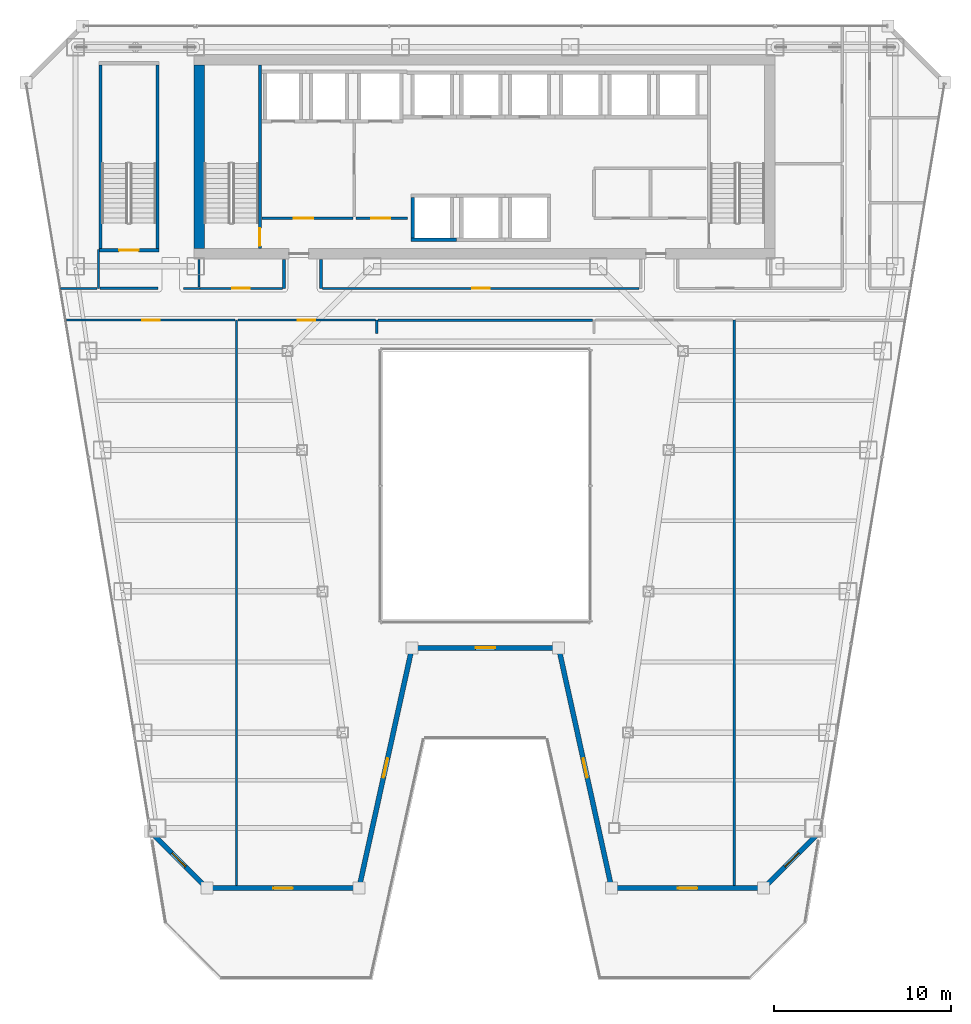
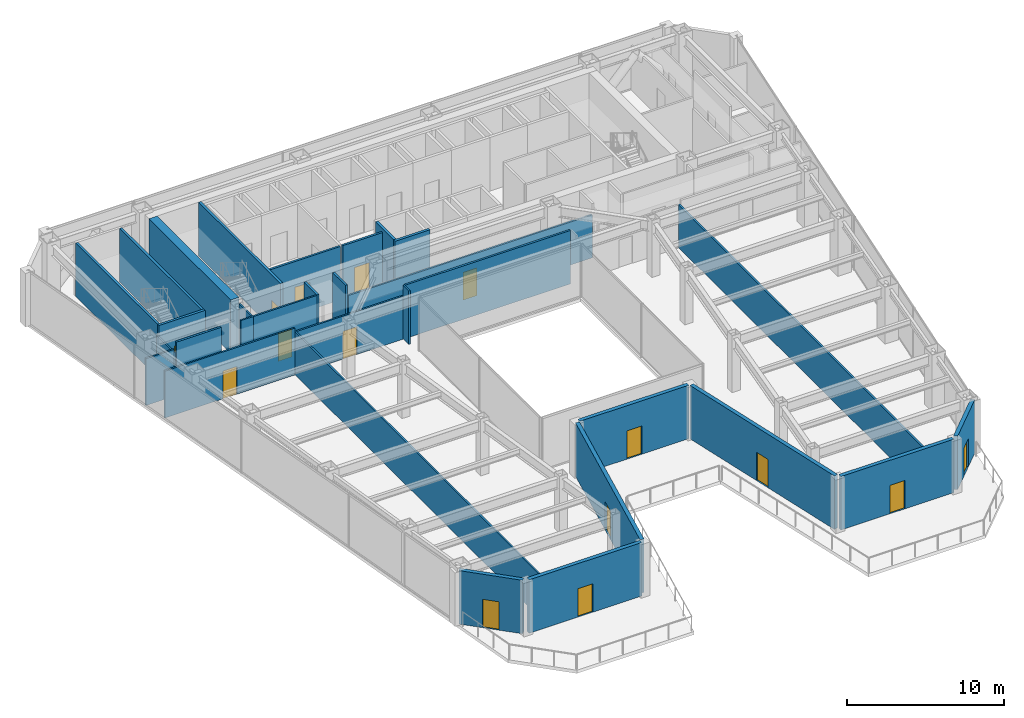
# One storey, part 28 of 35: 31 walls, 15 doors, 15 openings.
"""IFC4 building model written with IfcOpenShell, lengths in metres."""

from ifc_helpers import new_model, si_unit, direction, frame, frame_2d, origin, place, context, subcontext, project, spatial, rectangle, extrude, material, layer, layer_set, type_object, element, fill, save


model = new_model("IFC4")

# Units and contexts
model_context = context("Model", 3, precision=1e-05, world=origin(), true_north=direction((0.0, 1.0)))
body_context = subcontext(model_context, "Body", "Model", "MODEL_VIEW")
ifc_project = project(units=[si_unit("LENGTHUNIT", "METRE"), si_unit("AREAUNIT", "SQUARE_METRE"), si_unit("VOLUMEUNIT", "CUBIC_METRE"), si_unit("PLANEANGLEUNIT", "RADIAN"), si_unit("MASSUNIT", "GRAM", prefix="KILO")], contexts=[model_context])

# Site, building, storey
site_placement = place(None, origin())
site = spatial("IfcSite", under=ifc_project, at=site_placement, CompositionType="ELEMENT")
building_placement = place(site_placement, origin())
building = spatial("IfcBuilding", under=site, at=building_placement, Name="Saevonmaru Cultural Tower", CompositionType="ELEMENT")
storey_placement = place(building_placement, frame((0.0, 0.0, 101.60009765625)))
storey = spatial("IfcBuildingStorey", under=building, at=storey_placement, Name="L21", CompositionType="ELEMENT", Elevation=101.60009765625)

# Wall
ifc_material_1 = material(Name="Concrete C60/75", Category="concrete")
ifc_layer_1 = layer(ifc_material_1, 0.60009765625, Name="Concrete C60/75")
ifc_layer_set_1 = layer_set([ifc_layer_1], Name="Concrete C60/75")
wall_type_1 = type_object("IfcWallType", Name="WL-CORE-600", PredefinedType="SHEAR", material=ifc_layer_set_1)
wall_1_placement = place(storey_placement, frame((13.800048828125, 43.39990234375, 0.0), z_axis=(0.0, 0.0, 1.0), x_axis=(0.0, 1.0, 0.0)))
element("IfcWall", 1, at=wall_1_placement, inside=storey, type_object=wall_type_1, Name="L21 Tower RC core shear wall W", PredefinedType="SHEAR", context=body_context, shape_type="SweptSolid", body=[
    extrude(rectangle(XDim=10.400146484375, YDim=0.60009765625, at=frame_2d((5.2001953125, 0.0))), origin(), (0.0, 0.0, 1.0), 4.14990234375),
])

# Wall, opening, door
ifc_material_2 = material(Name="Gypsum Fireboard Partition", Category="gypsum")
ifc_layer_2 = layer(ifc_material_2, 0.14990234375, Name="Gypsum Fireboard Partition")
ifc_layer_set_2 = layer_set([ifc_layer_2], Name="Gypsum Fireboard Partition")
wall_type_2 = type_object("IfcWallType", Name="WL-CORE-PART-150", PredefinedType="PARTITIONING", material=ifc_layer_set_2)
wall_2_placement = place(storey_placement, frame((17.360107421875, 45.1201171875, 0.0), z_axis=(0.0, 0.0, 1.0), x_axis=(1.0, 0.0, 0.0)))
wall_2 = element("IfcWall", 2, at=wall_2_placement, inside=storey, type_object=wall_type_2, Name="L21 Firefighting Lift Lobby South Wall", PredefinedType="PARTITIONING", context=body_context, shape_type="SweptSolid", body=[
    extrude(rectangle(XDim=5.139892578125, YDim=0.14990234375, at=frame_2d((2.56982421875, 0.0))), origin(), (0.0, 0.0, 1.0), 4.14990234375),
])
opening_1_placement = place(wall_2_placement, frame((1.800048828125, 0.0, 0.0)))
opening_1 = element("IfcOpeningElement", 3, at=opening_1_placement, cuts=wall_2, Name="Opening FD-2", PredefinedType="OPENING", context=body_context, shape_type="SweptSolid", body=[
    extrude(rectangle(XDim=1.10009765625, YDim=2.14990234375, at=frame_2d((0.550048828125, 1.074951171875))), frame((0.0, 0.0849609375, 0.0), z_axis=(0.0, -1.0, 0.0), x_axis=(1.0, 0.0, 0.0)), (0.0, 0.0, 1.0), 0.169921875),
])
ifc_material_3 = material(Name="Satin Bronze Anodised Aluminium", Category="aluminium")
door_type_1 = type_object("IfcDoorType", Name="DR-FD60-1100", OperationType="SINGLE_SWING_LEFT", PredefinedType="DOOR", material=ifc_material_3)
door_1_placement = place(opening_1_placement, origin())
door_1 = element("IfcDoor", 4, at=door_1_placement, inside=storey, type_object=door_type_1, Name="L21 Firefighting Lift Lobby South Door", OperationType="SINGLE_SWING_LEFT", OverallHeight=2.14990234375, OverallWidth=1.10009765625, PredefinedType="DOOR", context=body_context, shape_type="SweptSolid", body=[
    extrude(rectangle(XDim=1.10009765625, YDim=2.14990234375, at=frame_2d((0.550048828125, 1.074951171875))), frame((0.0, 0.02490234375, 0.0), z_axis=(0.0, -1.0, 0.0), x_axis=(1.0, 0.0, 0.0)), (0.0, 0.0, 1.0), 0.050048828125),
])
fill(opening_1, door_1)

wall_3_placement = place(storey_placement, frame((22.679931640625, 45.1201171875, 0.0), z_axis=(0.0, 0.0, 1.0), x_axis=(1.0, 0.0, 0.0)))
wall_3 = element("IfcWall", 5, at=wall_3_placement, inside=storey, type_object=wall_type_2, Name="L21 Service Lift Vestibule Wall", PredefinedType="PARTITIONING", context=body_context, shape_type="SweptSolid", body=[
    extrude(rectangle(XDim=2.920166015625, YDim=0.14990234375, at=frame_2d((1.4599609375, 0.0))), origin(), (0.0, 0.0, 1.0), 4.14990234375),
])
opening_2_placement = place(wall_3_placement, frame((0.85009765625, 0.0, 0.0)))
opening_2 = element("IfcOpeningElement", 6, at=opening_2_placement, cuts=wall_3, Name="Opening FD-2", PredefinedType="OPENING", context=body_context, shape_type="SweptSolid", body=[
    extrude(rectangle(XDim=1.10009765625, YDim=2.14990234375, at=frame_2d((0.550048828125, 1.074951171875))), frame((0.0, 0.0849609375, 0.0), z_axis=(0.0, -1.0, 0.0), x_axis=(1.0, 0.0, 0.0)), (0.0, 0.0, 1.0), 0.169921875),
])
door_2_placement = place(opening_2_placement, origin())
door_2 = element("IfcDoor", 7, at=door_2_placement, inside=storey, type_object=door_type_1, Name="L21 Service Lift Vestibule Door", OperationType="SINGLE_SWING_LEFT", OverallHeight=2.14990234375, OverallWidth=1.10009765625, PredefinedType="DOOR", context=body_context, shape_type="SweptSolid", body=[
    extrude(rectangle(XDim=1.10009765625, YDim=2.14990234375, at=frame_2d((0.550048828125, 1.074951171875))), frame((0.0, 0.02490234375, 0.0), z_axis=(0.0, -1.0, 0.0), x_axis=(1.0, 0.0, 0.0)), (0.0, 0.0, 1.0), 0.050048828125),
])
fill(opening_2, door_2)

ifc_material_4 = material(Name="Granite-Clad Precast Concrete C40/50", Category="masonry")
ifc_layer_3 = layer(ifc_material_4, 0.280029296875, Name="Granite-Clad Precast Concrete C40/50")
ifc_layer_set_3 = layer_set([ifc_layer_3], Name="Granite-Clad Precast Concrete C40/50")
wall_type_3 = type_object("IfcWallType", Name="WL-EXT-SPANDREL-280", PredefinedType="STANDARD", material=ifc_layer_set_3)
wall_4_placement = place(storey_placement, frame((11.162109375, 10.286865234375, 0.0), z_axis=(0.0, 0.0, 1.0), x_axis=(0.70707775441, -0.707135806771, 0.0)))
wall_4 = element("IfcWall", 8, at=wall_4_placement, inside=storey, type_object=wall_type_3, Name="L21 Setback Terrace Portal Wall E1", PredefinedType="STANDARD", context=body_context, shape_type="SweptSolid", body=[
    extrude(rectangle(XDim=4.20556640625, YDim=0.280029296875, at=frame_2d((2.102783203125, 0.0))), origin(), (0.0, 0.0, 1.0), 4.14990234375),
])
opening_3_placement = place(wall_4_placement, frame((1.552978515625, 0.0, 0.0)))
opening_3 = element("IfcOpeningElement", 9, at=opening_3_placement, cuts=wall_4, Name="Opening TD-1", PredefinedType="OPENING", context=body_context, shape_type="SweptSolid", body=[
    extrude(rectangle(XDim=1.10009765625, YDim=2.199951171875, at=frame_2d((0.550048828125, 1.10009765625))), frame((0.0, 0.14990234375, 0.0), z_axis=(0.0, -1.0, 0.0), x_axis=(1.0, 0.0, 0.0)), (0.0, 0.0, 1.0), 0.300048828125),
])
door_type_2 = type_object("IfcDoorType", Name="DR-TERR-1100", OperationType="SINGLE_SWING_LEFT", PredefinedType="DOOR", material=ifc_material_3)
door_3_placement = place(opening_3_placement, origin())
door_3 = element("IfcDoor", 10, at=door_3_placement, inside=storey, type_object=door_type_2, Name="L21 Sawtooth Roof Terrace Door E1", OperationType="SINGLE_SWING_RIGHT", OverallHeight=2.199951171875, OverallWidth=1.10009765625, PredefinedType="DOOR", context=body_context, shape_type="SweptSolid", body=[
    extrude(rectangle(XDim=1.10009765625, YDim=2.199951171875, at=frame_2d((0.550048828125, 1.10009765625))), frame((0.0, 0.02490234375, 0.0), z_axis=(0.0, -1.0, 0.0), x_axis=(1.0, 0.0, 0.0)), (0.0, 0.0, 1.0), 0.050048828125),
])
fill(opening_3, door_3)

wall_5_placement = place(storey_placement, frame((14.408935546875, 7.199951171875, 0.0), z_axis=(0.0, 0.0, 1.0), x_axis=(1.0, 0.0, 0.0)))
wall_5 = element("IfcWall", 11, at=wall_5_placement, inside=storey, type_object=wall_type_3, Name="L21 Setback Terrace Portal Wall E2", PredefinedType="STANDARD", context=body_context, shape_type="SweptSolid", body=[
    extrude(rectangle(XDim=8.280029296875, YDim=0.280029296875, at=frame_2d((4.14013671875, 0.0))), origin(), (0.0, 0.0, 1.0), 4.14990234375),
])
opening_4_placement = place(wall_5_placement, frame((3.590087890625, 0.0, 0.0)))
opening_4 = element("IfcOpeningElement", 12, at=opening_4_placement, cuts=wall_5, Name="Opening TD-1", PredefinedType="OPENING", context=body_context, shape_type="SweptSolid", body=[
    extrude(rectangle(XDim=1.10009765625, YDim=2.199951171875, at=frame_2d((0.550048828125, 1.10009765625))), frame((0.0, 0.14990234375, 0.0), z_axis=(0.0, -1.0, 0.0), x_axis=(1.0, 0.0, 0.0)), (0.0, 0.0, 1.0), 0.300048828125),
])
door_4_placement = place(opening_4_placement, origin())
door_4 = element("IfcDoor", 13, at=door_4_placement, inside=storey, type_object=door_type_2, Name="L21 Sawtooth Roof Terrace Door E2", OperationType="SINGLE_SWING_LEFT", OverallHeight=2.199951171875, OverallWidth=1.10009765625, PredefinedType="DOOR", context=body_context, shape_type="SweptSolid", body=[
    extrude(rectangle(XDim=1.10009765625, YDim=2.199951171875, at=frame_2d((0.550048828125, 1.10009765625))), frame((0.0, 0.02490234375, 0.0), z_axis=(0.0, -1.0, 0.0), x_axis=(1.0, 0.0, 0.0)), (0.0, 0.0, 1.0), 0.050048828125),
])
fill(opening_4, door_4)

wall_6_placement = place(storey_placement, frame((22.88330078125, 7.356201171875, 0.0), z_axis=(0.0, 0.0, 1.0), x_axis=(0.215414184939, 0.976522774403, 0.0)))
wall_6 = element("IfcWall", 14, at=wall_6_placement, inside=storey, type_object=wall_type_3, Name="L21 Setback Terrace Portal Wall E3", PredefinedType="STANDARD", context=body_context, shape_type="SweptSolid", body=[
    extrude(rectangle(XDim=13.60693359375, YDim=0.280029296875, at=frame_2d((6.803466796875, 0.0))), origin(), (0.0, 0.0, 1.0), 4.14990234375),
])
opening_5_placement = place(wall_6_placement, frame((6.25390625, 0.0, 0.0)))
opening_5 = element("IfcOpeningElement", 15, at=opening_5_placement, cuts=wall_6, Name="Opening TD-1", PredefinedType="OPENING", context=body_context, shape_type="SweptSolid", body=[
    extrude(rectangle(XDim=1.10009765625, YDim=2.199951171875, at=frame_2d((0.550048828125, 1.10009765625))), frame((0.0, 0.14990234375, 0.0), z_axis=(0.0, -1.0, 0.0), x_axis=(1.0, 0.0, 0.0)), (0.0, 0.0, 1.0), 0.300048828125),
])
door_5_placement = place(opening_5_placement, origin())
door_5 = element("IfcDoor", 16, at=door_5_placement, inside=storey, type_object=door_type_2, Name="L21 Sawtooth Roof Terrace Door E3", OperationType="SINGLE_SWING_RIGHT", OverallHeight=2.199951171875, OverallWidth=1.10009765625, PredefinedType="DOOR", context=body_context, shape_type="SweptSolid", body=[
    extrude(rectangle(XDim=1.10009765625, YDim=2.199951171875, at=frame_2d((0.550048828125, 1.10009765625))), frame((0.0, 0.02490234375, 0.0), z_axis=(0.0, -1.0, 0.0), x_axis=(1.0, 0.0, 0.0)), (0.0, 0.0, 1.0), 0.050048828125),
])
fill(opening_5, door_5)

wall_7_placement = place(storey_placement, frame((26.0087890625, 20.800048828125, 0.0), z_axis=(0.0, 0.0, 1.0), x_axis=(1.0, 0.0, 0.0)))
wall_7 = element("IfcWall", 17, at=wall_7_placement, inside=storey, type_object=wall_type_3, Name="L21 Setback Terrace Portal Wall E4", PredefinedType="STANDARD", context=body_context, shape_type="SweptSolid", body=[
    extrude(rectangle(XDim=7.982421875, YDim=0.280029296875, at=frame_2d((3.9912109375, 0.0))), origin(), (0.0, 0.0, 1.0), 4.14990234375),
])
opening_6_placement = place(wall_7_placement, frame((3.44091796875, 0.0, 0.0)))
opening_6 = element("IfcOpeningElement", 18, at=opening_6_placement, cuts=wall_7, Name="Opening TD-1", PredefinedType="OPENING", context=body_context, shape_type="SweptSolid", body=[
    extrude(rectangle(XDim=1.10009765625, YDim=2.199951171875, at=frame_2d((0.550048828125, 1.10009765625))), frame((0.0, 0.14990234375, 0.0), z_axis=(0.0, -1.0, 0.0), x_axis=(1.0, 0.0, 0.0)), (0.0, 0.0, 1.0), 0.300048828125),
])
door_6_placement = place(opening_6_placement, origin())
door_6 = element("IfcDoor", 19, at=door_6_placement, inside=storey, type_object=door_type_2, Name="L21 Sawtooth Roof Terrace Door E4", OperationType="SINGLE_SWING_LEFT", OverallHeight=2.199951171875, OverallWidth=1.10009765625, PredefinedType="DOOR", context=body_context, shape_type="SweptSolid", body=[
    extrude(rectangle(XDim=1.10009765625, YDim=2.199951171875, at=frame_2d((0.550048828125, 1.10009765625))), frame((0.0, 0.02490234375, 0.0), z_axis=(0.0, -1.0, 0.0), x_axis=(1.0, 0.0, 0.0)), (0.0, 0.0, 1.0), 0.050048828125),
])
fill(opening_6, door_6)

wall_8_placement = place(storey_placement, frame((34.185546875, 20.643798828125, 0.0), z_axis=(0.0, 0.0, 1.0), x_axis=(0.215414184939, -0.976522774403, 0.0)))
wall_8 = element("IfcWall", 20, at=wall_8_placement, inside=storey, type_object=wall_type_3, Name="L21 Setback Terrace Portal Wall E5", PredefinedType="STANDARD", context=body_context, shape_type="SweptSolid", body=[
    extrude(rectangle(XDim=13.60693359375, YDim=0.280029296875, at=frame_2d((6.803466796875, 0.0))), origin(), (0.0, 0.0, 1.0), 4.14990234375),
])
opening_7_placement = place(wall_8_placement, frame((6.25390625, 0.0, 0.0)))
opening_7 = element("IfcOpeningElement", 21, at=opening_7_placement, cuts=wall_8, Name="Opening TD-1", PredefinedType="OPENING", context=body_context, shape_type="SweptSolid", body=[
    extrude(rectangle(XDim=1.10009765625, YDim=2.199951171875, at=frame_2d((0.550048828125, 1.10009765625))), frame((0.0, 0.14990234375, 0.0), z_axis=(0.0, -1.0, 0.0), x_axis=(1.0, 0.0, 0.0)), (0.0, 0.0, 1.0), 0.300048828125),
])
door_7_placement = place(opening_7_placement, origin())
door_7 = element("IfcDoor", 22, at=door_7_placement, inside=storey, type_object=door_type_2, Name="L21 Sawtooth Roof Terrace Door E5", OperationType="SINGLE_SWING_RIGHT", OverallHeight=2.199951171875, OverallWidth=1.10009765625, PredefinedType="DOOR", context=body_context, shape_type="SweptSolid", body=[
    extrude(rectangle(XDim=1.10009765625, YDim=2.199951171875, at=frame_2d((0.550048828125, 1.10009765625))), frame((0.0, 0.02490234375, 0.0), z_axis=(0.0, -1.0, 0.0), x_axis=(1.0, 0.0, 0.0)), (0.0, 0.0, 1.0), 0.050048828125),
])
fill(opening_7, door_7)

wall_9_placement = place(storey_placement, frame((37.31103515625, 7.199951171875, 0.0), z_axis=(0.0, 0.0, 1.0), x_axis=(1.0, 0.0, 0.0)))
wall_9 = element("IfcWall", 23, at=wall_9_placement, inside=storey, type_object=wall_type_3, Name="L21 Setback Terrace Portal Wall E6", PredefinedType="STANDARD", context=body_context, shape_type="SweptSolid", body=[
    extrude(rectangle(XDim=8.280029296875, YDim=0.280029296875, at=frame_2d((4.14013671875, 0.0))), origin(), (0.0, 0.0, 1.0), 4.14990234375),
])
opening_8_placement = place(wall_9_placement, frame((3.590087890625, 0.0, 0.0)))
opening_8 = element("IfcOpeningElement", 24, at=opening_8_placement, cuts=wall_9, Name="Opening TD-1", PredefinedType="OPENING", context=body_context, shape_type="SweptSolid", body=[
    extrude(rectangle(XDim=1.10009765625, YDim=2.199951171875, at=frame_2d((0.550048828125, 1.10009765625))), frame((0.0, 0.14990234375, 0.0), z_axis=(0.0, -1.0, 0.0), x_axis=(1.0, 0.0, 0.0)), (0.0, 0.0, 1.0), 0.300048828125),
])
door_8_placement = place(opening_8_placement, origin())
door_8 = element("IfcDoor", 25, at=door_8_placement, inside=storey, type_object=door_type_2, Name="L21 Sawtooth Roof Terrace Door E6", OperationType="SINGLE_SWING_LEFT", OverallHeight=2.199951171875, OverallWidth=1.10009765625, PredefinedType="DOOR", context=body_context, shape_type="SweptSolid", body=[
    extrude(rectangle(XDim=1.10009765625, YDim=2.199951171875, at=frame_2d((0.550048828125, 1.10009765625))), frame((0.0, 0.02490234375, 0.0), z_axis=(0.0, -1.0, 0.0), x_axis=(1.0, 0.0, 0.0)), (0.0, 0.0, 1.0), 0.050048828125),
])
fill(opening_8, door_8)

wall_10_placement = place(storey_placement, frame((45.8642578125, 7.31298828125, 0.0), z_axis=(0.0, 0.0, 1.0), x_axis=(0.70707775441, 0.707135806771, 0.0)))
wall_10 = element("IfcWall", 26, at=wall_10_placement, inside=storey, type_object=wall_type_3, Name="L21 Setback Terrace Portal Wall E7", PredefinedType="STANDARD", context=body_context, shape_type="SweptSolid", body=[
    extrude(rectangle(XDim=4.20556640625, YDim=0.280029296875, at=frame_2d((2.102783203125, 0.0))), origin(), (0.0, 0.0, 1.0), 4.14990234375),
])
opening_9_placement = place(wall_10_placement, frame((1.552978515625, 0.0, 0.0)))
opening_9 = element("IfcOpeningElement", 27, at=opening_9_placement, cuts=wall_10, Name="Opening TD-1", PredefinedType="OPENING", context=body_context, shape_type="SweptSolid", body=[
    extrude(rectangle(XDim=1.10009765625, YDim=2.199951171875, at=frame_2d((0.550048828125, 1.10009765625))), frame((0.0, 0.14990234375, 0.0), z_axis=(0.0, -1.0, 0.0), x_axis=(1.0, 0.0, 0.0)), (0.0, 0.0, 1.0), 0.300048828125),
])
door_9_placement = place(opening_9_placement, origin())
door_9 = element("IfcDoor", 28, at=door_9_placement, inside=storey, type_object=door_type_2, Name="L21 Sawtooth Roof Terrace Door E7", OperationType="SINGLE_SWING_RIGHT", OverallHeight=2.199951171875, OverallWidth=1.10009765625, PredefinedType="DOOR", context=body_context, shape_type="SweptSolid", body=[
    extrude(rectangle(XDim=1.10009765625, YDim=2.199951171875, at=frame_2d((0.550048828125, 1.10009765625))), frame((0.0, 0.02490234375, 0.0), z_axis=(0.0, -1.0, 0.0), x_axis=(1.0, 0.0, 0.0)), (0.0, 0.0, 1.0), 0.050048828125),
])
fill(opening_9, door_9)

# Walls
ifc_layer_4 = layer(ifc_material_2, 0.14990234375, Name="Gypsum Fireboard Partition")
ifc_layer_set_4 = layer_set([ifc_layer_4], Name="Gypsum Fireboard Partition")
wall_type_4 = type_object("IfcWallType", Name="WL-PART-FIRE-150", PredefinedType="PARTITIONING", material=ifc_layer_set_4)
wall_11_placement = place(storey_placement, frame((8.179931640625, 41.14990234375, 0.0), z_axis=(0.0, 0.0, 1.0), x_axis=(1.0, 0.0, 0.0)))
element("IfcWall", 29, at=wall_11_placement, inside=storey, type_object=wall_type_4, Name="L21 Stair ST-3 South Vestibule Wall", PredefinedType="PARTITIONING", context=body_context, shape_type="SweptSolid", body=[
    extrude(rectangle(XDim=3.300048828125, YDim=0.14990234375, at=frame_2d((1.64990234375, 0.0))), origin(), (0.0, 0.0, 1.0), 4.14990234375),
])
for number, where, z_axis, x_axis, name in (
    (30, (18.60009765625, 41.14990234375, 0.0), (0.0, 0.0, 1.0), (0.0, 1.0, 0.0), "L21 Core Portal Side Wall W1"),
    (31, (20.699951171875, 41.14990234375, 0.0), (0.0, 0.0, 1.0), (0.0, 1.0, 0.0), "L21 Core Portal Side Wall W2"),
):
    element("IfcWall", number, at=place(storey_placement, frame(where, z_axis=z_axis, x_axis=x_axis)), inside=storey, type_object=wall_type_4, Name=name, PredefinedType="PARTITIONING", context=body_context, shape_type="SweptSolid", body=[
        extrude(rectangle(XDim=1.630126953125, YDim=0.14990234375, at=frame_2d((0.81494140625, 0.0))), origin(), (0.0, 0.0, 1.0), 4.14990234375),
    ])
wall_12_placement = place(storey_placement, frame((23.929931640625, 39.35009765625, 0.0), z_axis=(0.0, 0.0, 1.0), x_axis=(1.0, 0.0, 0.0)))
element("IfcWall", 32, at=wall_12_placement, inside=storey, type_object=wall_type_4, Name="L21 North Atrium Corridor Wall", PredefinedType="PARTITIONING", context=body_context, shape_type="SweptSolid", body=[
    extrude(rectangle(XDim=12.14013671875, YDim=0.14990234375, at=frame_2d((6.070068359375, 0.0))), origin(), (0.0, 0.0, 1.0), 4.14990234375),
])
ifc_layer_5 = layer(ifc_material_2, 0.1201171875, Name="Gypsum Fireboard Partition")
ifc_layer_set_5 = layer_set([ifc_layer_5], Name="Gypsum Fireboard Partition")
wall_type_5 = type_object("IfcWallType", Name="WL-PART-GYP-120", PredefinedType="PARTITIONING", material=ifc_layer_set_5)
wall_13_placement = place(storey_placement, frame((12.919921875, 41.14990234375, 0.0), z_axis=(0.0, 0.0, 1.0), x_axis=(1.0, 0.0, 0.0)))
element("IfcWall", 33, at=wall_13_placement, inside=storey, type_object=wall_type_5, Name="L21 NW Inner South Wall", PredefinedType="PARTITIONING", context=body_context, shape_type="SweptSolid", body=[
    extrude(rectangle(XDim=0.93017578125, YDim=0.1201171875, at=frame_2d((0.465087890625, 0.0))), origin(), (0.0, 0.0, 1.0), 4.14990234375),
])
wall_14_placement = place(storey_placement, frame((13.800048828125, 41.22998046875, 0.0), z_axis=(0.0, 0.0, 1.0), x_axis=(0.0, 1.0, 0.0)))
element("IfcWall", 34, at=wall_14_placement, inside=storey, type_object=wall_type_5, Name="L21 NW Inner Core Return", PredefinedType="PARTITIONING", context=body_context, shape_type="SweptSolid", body=[
    extrude(rectangle(XDim=1.550048828125, YDim=0.1201171875, at=frame_2d((0.77490234375, 0.0))), origin(), (0.0, 0.0, 1.0), 4.14990234375),
])
wall_15_placement = place(storey_placement, frame((8.10009765625, 41.14990234375, 0.0), z_axis=(0.0, 0.0, 1.0), x_axis=(0.0, 1.0, 0.0)))
element("IfcWall", 35, at=wall_15_placement, inside=storey, type_object=wall_type_5, Name="L21 NW Stair Return", PredefinedType="PARTITIONING", context=body_context, shape_type="SweptSolid", body=[
    extrude(rectangle(XDim=2.2001953125, YDim=0.1201171875, at=frame_2d((1.10009765625, 0.0))), origin(), (0.0, 0.0, 1.0), 3.3349609375),
])
wall_16_placement = place(storey_placement, frame((5.94189453125, 41.14990234375, 0.0), z_axis=(0.0, 0.0, 1.0), x_axis=(1.0, 0.0, 0.0)))
element("IfcWall", 36, at=wall_16_placement, inside=storey, type_object=wall_type_5, Name="L21 Panoramic Salon Restaurant Corridor Wall", PredefinedType="PARTITIONING", context=body_context, shape_type="SweptSolid", body=[
    extrude(rectangle(XDim=2.078125, YDim=0.1201171875, at=frame_2d((1.0390625, 0.0))), origin(), (0.0, 0.0, 1.0), 3.635009765625),
])

# Wall, opening, door
wall_17_placement = place(storey_placement, frame((13.85009765625, 41.14990234375, 0.0), z_axis=(0.0, 0.0, 1.0), x_axis=(1.0, 0.0, 0.0)))
wall_17 = element("IfcWall", 37, at=wall_17_placement, inside=storey, type_object=wall_type_5, Name="L21 Museum Espresso Cafe Corridor Wall", PredefinedType="PARTITIONING", context=body_context, shape_type="SweptSolid", body=[
    extrude(rectangle(XDim=4.65478515625, YDim=0.1201171875, at=frame_2d((2.327392578125, 0.0))), origin(), (0.0, 0.0, 1.0), 4.14990234375),
])
opening_10_placement = place(wall_17_placement, frame((1.826904296875, 0.0, 0.0)))
opening_10 = element("IfcOpeningElement", 38, at=opening_10_placement, cuts=wall_17, Name="Opening ID-1B", PredefinedType="OPENING", context=body_context, shape_type="SweptSolid", body=[
    extrude(rectangle(XDim=1.0, YDim=2.14990234375, at=frame_2d((0.5, 1.074951171875))), frame((0.0, 0.070068359375, 0.0), z_axis=(0.0, -1.0, 0.0), x_axis=(1.0, 0.0, 0.0)), (0.0, 0.0, 1.0), 0.14013671875),
])
ifc_material_5 = material(Name="Acoustic Stained Oak Timber", Category="wood")
door_type_3 = type_object("IfcDoorType", Name="DR-INT-1000", OperationType="SINGLE_SWING_RIGHT", PredefinedType="DOOR", material=ifc_material_5)
door_10_placement = place(opening_10_placement, origin())
door_10 = element("IfcDoor", 39, at=door_10_placement, inside=storey, type_object=door_type_3, Name="L21 Museum Espresso Cafe Door", OperationType="SINGLE_SWING_LEFT", OverallHeight=2.14990234375, OverallWidth=1.0, PredefinedType="DOOR", context=body_context, shape_type="SweptSolid", body=[
    extrude(rectangle(XDim=1.0, YDim=2.14990234375, at=frame_2d((0.5, 1.074951171875))), frame((0.0, 0.02490234375, 0.0), z_axis=(0.0, -1.0, 0.0), x_axis=(1.0, 0.0, 0.0)), (0.0, 0.0, 1.0), 0.050048828125),
])
fill(opening_10, door_10)

wall_18_placement = place(storey_placement, frame((20.794921875, 41.14990234375, 0.0), z_axis=(0.0, 0.0, 1.0), x_axis=(1.0, 0.0, 0.0)))
wall_18 = element("IfcWall", 40, at=wall_18_placement, inside=storey, type_object=wall_type_5, Name="L21 Panoramic Salon Restaurant Corridor Wall", PredefinedType="PARTITIONING", context=body_context, shape_type="SweptSolid", body=[
    extrude(rectangle(XDim=17.91015625, YDim=0.1201171875, at=frame_2d((8.955078125, 0.0))), origin(), (0.0, 0.0, 1.0), 3.3349609375),
])
opening_11_placement = place(wall_18_placement, frame((8.455078125, 0.0, 0.0)))
opening_11 = element("IfcOpeningElement", 41, at=opening_11_placement, cuts=wall_18, Name="Opening ID-1B", PredefinedType="OPENING", context=body_context, shape_type="SweptSolid", body=[
    extrude(rectangle(XDim=1.0, YDim=2.14990234375, at=frame_2d((0.5, 1.074951171875))), frame((0.0, 0.070068359375, 0.0), z_axis=(0.0, -1.0, 0.0), x_axis=(1.0, 0.0, 0.0)), (0.0, 0.0, 1.0), 0.14013671875),
])
door_11_placement = place(opening_11_placement, origin())
door_11 = element("IfcDoor", 42, at=door_11_placement, inside=storey, type_object=door_type_3, Name="L21 Panoramic Salon Restaurant Door", OperationType="SINGLE_SWING_RIGHT", OverallHeight=2.14990234375, OverallWidth=1.0, PredefinedType="DOOR", context=body_context, shape_type="SweptSolid", body=[
    extrude(rectangle(XDim=1.0, YDim=2.14990234375, at=frame_2d((0.5, 1.074951171875))), frame((0.0, 0.02490234375, 0.0), z_axis=(0.0, -1.0, 0.0), x_axis=(1.0, 0.0, 0.0)), (0.0, 0.0, 1.0), 0.050048828125),
])
fill(opening_11, door_11)

# Walls
wall_19_placement = place(storey_placement, frame((15.919921875, 7.360107421875, 0.0), z_axis=(0.0, 0.0, 1.0), x_axis=(0.0, 1.0, 0.0)))
element("IfcWall", 43, at=wall_19_placement, inside=storey, type_object=wall_type_5, Name="L21 West Bay Divider 1", PredefinedType="PARTITIONING", context=body_context, shape_type="SweptSolid", body=[
    extrude(rectangle(XDim=31.989990234375, YDim=0.1201171875, at=frame_2d((15.9951171875, 0.0))), origin(), (0.0, 0.0, 1.0), 3.3349609375),
])
wall_20_placement = place(storey_placement, frame((23.85009765625, 38.60009765625, 0.0), z_axis=(0.0, 0.0, 1.0), x_axis=(0.0, 1.0, 0.0)))
element("IfcWall", 44, at=wall_20_placement, inside=storey, type_object=wall_type_5, Name="L21 North Atrium West Wall", PredefinedType="PARTITIONING", context=body_context, shape_type="SweptSolid", body=[
    extrude(rectangle(XDim=0.75, YDim=0.1201171875, at=frame_2d((0.375, 0.0))), origin(), (0.0, 0.0, 1.0), 4.14990234375),
])

# Wall, opening, door
wall_21_placement = place(storey_placement, frame((6.304931640625, 39.35009765625, 0.0), z_axis=(0.0, 0.0, 1.0), x_axis=(1.0, 0.0, 0.0)))
wall_21 = element("IfcWall", 45, at=wall_21_placement, inside=storey, type_object=wall_type_5, Name="L21 Museum Espresso Cafe Corridor Wall", PredefinedType="PARTITIONING", context=body_context, shape_type="SweptSolid", body=[
    extrude(rectangle(XDim=9.53515625, YDim=0.1201171875, at=frame_2d((4.767578125, 0.0))), origin(), (0.0, 0.0, 1.0), 3.635009765625),
])
opening_12_placement = place(wall_21_placement, frame((4.26806640625, 0.0, 0.0)))
opening_12 = element("IfcOpeningElement", 46, at=opening_12_placement, cuts=wall_21, Name="Opening ID-1B", PredefinedType="OPENING", context=body_context, shape_type="SweptSolid", body=[
    extrude(rectangle(XDim=1.0, YDim=2.14990234375, at=frame_2d((0.5, 1.074951171875))), frame((0.0, 0.070068359375, 0.0), z_axis=(0.0, -1.0, 0.0), x_axis=(1.0, 0.0, 0.0)), (0.0, 0.0, 1.0), 0.14013671875),
])
door_12_placement = place(opening_12_placement, origin())
door_12 = element("IfcDoor", 47, at=door_12_placement, inside=storey, type_object=door_type_3, Name="L21 Museum Espresso Cafe Door", OperationType="SINGLE_SWING_RIGHT", OverallHeight=2.14990234375, OverallWidth=1.0, PredefinedType="DOOR", context=body_context, shape_type="SweptSolid", body=[
    extrude(rectangle(XDim=1.0, YDim=2.14990234375, at=frame_2d((0.5, 1.074951171875))), frame((0.0, 0.02490234375, 0.0), z_axis=(0.0, -1.0, 0.0), x_axis=(1.0, 0.0, 0.0)), (0.0, 0.0, 1.0), 0.050048828125),
])
fill(opening_12, door_12)

wall_22_placement = place(storey_placement, frame((16.0, 39.35009765625, 0.0), z_axis=(0.0, 0.0, 1.0), x_axis=(1.0, 0.0, 0.0)))
wall_22 = element("IfcWall", 48, at=wall_22_placement, inside=storey, type_object=wall_type_5, Name="L21 Panoramic Salon Restaurant Corridor Wall", PredefinedType="PARTITIONING", context=body_context, shape_type="SweptSolid", body=[
    extrude(rectangle(XDim=7.77001953125, YDim=0.1201171875, at=frame_2d((3.885009765625, 0.0))), origin(), (0.0, 0.0, 1.0), 3.3349609375),
])
opening_13_placement = place(wall_22_placement, frame((3.385009765625, 0.0, 0.0)))
opening_13 = element("IfcOpeningElement", 49, at=opening_13_placement, cuts=wall_22, Name="Opening ID-1B", PredefinedType="OPENING", context=body_context, shape_type="SweptSolid", body=[
    extrude(rectangle(XDim=1.0, YDim=2.14990234375, at=frame_2d((0.5, 1.074951171875))), frame((0.0, 0.070068359375, 0.0), z_axis=(0.0, -1.0, 0.0), x_axis=(1.0, 0.0, 0.0)), (0.0, 0.0, 1.0), 0.14013671875),
])
door_13_placement = place(opening_13_placement, origin())
door_13 = element("IfcDoor", 50, at=door_13_placement, inside=storey, type_object=door_type_3, Name="L21 Panoramic Salon Restaurant Door", OperationType="SINGLE_SWING_LEFT", OverallHeight=2.14990234375, OverallWidth=1.0, PredefinedType="DOOR", context=body_context, shape_type="SweptSolid", body=[
    extrude(rectangle(XDim=1.0, YDim=2.14990234375, at=frame_2d((0.5, 1.074951171875))), frame((0.0, 0.02490234375, 0.0), z_axis=(0.0, -1.0, 0.0), x_axis=(1.0, 0.0, 0.0)), (0.0, 0.0, 1.0), 0.050048828125),
])
fill(opening_13, door_13)

# Walls
ifc_layer_6 = layer(ifc_material_2, 0.135009765625, Name="Gypsum Fireboard Partition")
ifc_layer_set_6 = layer_set([ifc_layer_6], Name="Gypsum Fireboard Partition")
wall_type_6 = type_object("IfcWallType", Name="WL-PART-GYP-135", PredefinedType="PARTITIONING", material=ifc_layer_set_6)
wall_23_placement = place(storey_placement, frame((44.080078125, 7.360107421875, 0.0), z_axis=(0.0, 0.0, 1.0), x_axis=(0.0, 1.0, 0.0)))
element("IfcWall", 51, at=wall_23_placement, inside=storey, type_object=wall_type_6, Name="L21 East Bay Divider 1", PredefinedType="PARTITIONING", context=body_context, shape_type="SweptSolid", body=[
    extrude(rectangle(XDim=31.989990234375, YDim=0.135009765625, at=frame_2d((15.9951171875, 0.0))), origin(), (0.0, 0.0, 1.0), 3.3349609375),
])
ifc_material_6 = material(Name="Concrete C40/50", Category="concrete")
ifc_layer_7 = layer(ifc_material_6, 0.199951171875, Name="Concrete C40/50")
ifc_layer_set_7 = layer_set([ifc_layer_7], Name="Concrete C40/50")
wall_type_7 = type_object("IfcWallType", Name="WL-SHAFT-200", PredefinedType="SHEAR", material=ifc_layer_set_7)
wall_24_placement = place(storey_placement, frame((25.800048828125, 43.89990234375, 0.0), z_axis=(0.0, 0.0, 1.0), x_axis=(1.0, 0.0, 0.0)))
element("IfcWall", 52, at=wall_24_placement, inside=storey, type_object=wall_type_7, Name="L21 Lift PL-M1 Hoistway Wall S", PredefinedType="SHEAR", context=body_context, shape_type="SweptSolid", body=[
    extrude(rectangle(XDim=2.574951171875, YDim=0.199951171875, at=frame_2d((1.28759765625, 0.0))), origin(), (0.0, 0.0, 1.0), 4.14990234375),
])
wall_25_placement = place(storey_placement, frame((25.89990234375, 44.0, 0.0), z_axis=(0.0, 0.0, 1.0), x_axis=(0.0, 1.0, 0.0)))
element("IfcWall", 53, at=wall_25_placement, inside=storey, type_object=wall_type_7, Name="L21 Lift PL-M1 Hoistway Wall W", PredefinedType="SHEAR", context=body_context, shape_type="SweptSolid", body=[
    extrude(rectangle(XDim=2.300048828125, YDim=0.199951171875, at=frame_2d((1.14990234375, 0.0))), origin(), (0.0, 0.0, 1.0), 4.14990234375),
])

# Wall, opening, door
ifc_layer_8 = layer(ifc_material_6, 0.179931640625, Name="Concrete C40/50")
ifc_layer_set_8 = layer_set([ifc_layer_8], Name="Concrete C40/50")
wall_type_8 = type_object("IfcWallType", Name="WL-STSHAFT-180", PredefinedType="SHEAR", material=ifc_layer_set_8)
wall_26_placement = place(storey_placement, frame((17.239990234375, 43.39990234375, 0.0), z_axis=(0.0, 0.0, 1.0), x_axis=(0.0, 1.0, 0.0)))
wall_26 = element("IfcWall", 54, at=wall_26_placement, inside=storey, type_object=wall_type_8, Name="L21 Stair ST-1 Structural Shaft Wall 1", PredefinedType="SHEAR", context=body_context, shape_type="SweptSolid", body=[
    extrude(rectangle(XDim=10.400146484375, YDim=0.179931640625, at=frame_2d((5.2001953125, 0.0))), origin(), (0.0, 0.0, 1.0), 4.14990234375),
])
opening_14_placement = place(wall_26_placement, frame((0.159912109375, 0.0, 0.0)))
opening_14 = element("IfcOpeningElement", 55, at=opening_14_placement, cuts=wall_26, Name="Opening FD-3", PredefinedType="OPENING", context=body_context, shape_type="SweptSolid", body=[
    extrude(rectangle(XDim=1.0, YDim=2.14990234375, at=frame_2d((0.5, 1.074951171875))), frame((0.0, 0.10009765625, 0.0), z_axis=(0.0, -1.0, 0.0), x_axis=(1.0, 0.0, 0.0)), (0.0, 0.0, 1.0), 0.199951171875),
])
door_type_4 = type_object("IfcDoorType", Name="DR-FD60-1000", OperationType="SINGLE_SWING_RIGHT", PredefinedType="DOOR", material=ifc_material_3)
door_14_placement = place(opening_14_placement, origin())
door_14 = element("IfcDoor", 56, at=door_14_placement, inside=storey, type_object=door_type_4, Name="L21 Protected Stair ST-1 Fire Door", OperationType="SINGLE_SWING_RIGHT", OverallHeight=2.14990234375, OverallWidth=1.0, PredefinedType="DOOR", context=body_context, shape_type="SweptSolid", body=[
    extrude(rectangle(XDim=1.0, YDim=2.14990234375, at=frame_2d((0.5, 1.074951171875))), frame((0.0, 0.02490234375, 0.0), z_axis=(0.0, -1.0, 0.0), x_axis=(1.0, 0.0, 0.0)), (0.0, 0.0, 1.0), 0.050048828125),
])
fill(opening_14, door_14)

wall_27_placement = place(storey_placement, frame((8.1201171875, 43.31005859375, 0.0), z_axis=(0.0, 0.0, 1.0), x_axis=(1.0, 0.0, 0.0)))
wall_27 = element("IfcWall", 57, at=wall_27_placement, inside=storey, type_object=wall_type_8, Name="L21 Stair ST-3 Structural Shaft Wall 1", PredefinedType="SHEAR", context=body_context, shape_type="SweptSolid", body=[
    extrude(rectangle(XDim=3.409912109375, YDim=0.179931640625, at=frame_2d((1.705078125, 0.0))), origin(), (0.0, 0.0, 1.0), 4.14990234375),
])
opening_15_placement = place(wall_27_placement, frame((1.14990234375, 0.0, 0.0)))
opening_15 = element("IfcOpeningElement", 58, at=opening_15_placement, cuts=wall_27, Name="Opening FD-2", PredefinedType="OPENING", context=body_context, shape_type="SweptSolid", body=[
    extrude(rectangle(XDim=1.10009765625, YDim=2.14990234375, at=frame_2d((0.550048828125, 1.074951171875))), frame((0.0, 0.10009765625, 0.0), z_axis=(0.0, -1.0, 0.0), x_axis=(1.0, 0.0, 0.0)), (0.0, 0.0, 1.0), 0.199951171875),
])
door_15_placement = place(opening_15_placement, origin())
door_15 = element("IfcDoor", 59, at=door_15_placement, inside=storey, type_object=door_type_1, Name="L21 Protected Stair ST-3 Fire Door", OperationType="SINGLE_SWING_LEFT", OverallHeight=2.14990234375, OverallWidth=1.10009765625, PredefinedType="DOOR", context=body_context, shape_type="SweptSolid", body=[
    extrude(rectangle(XDim=1.10009765625, YDim=2.14990234375, at=frame_2d((0.550048828125, 1.074951171875))), frame((0.0, 0.02490234375, 0.0), z_axis=(0.0, -1.0, 0.0), x_axis=(1.0, 0.0, 0.0)), (0.0, 0.0, 1.0), 0.050048828125),
])
fill(opening_15, door_15)

# Walls
for number, where, z_axis, x_axis, name in (
    (60, (11.43994140625, 43.39990234375, 0.0), (0.0, 0.0, 1.0), (0.0, 1.0, 0.0), "L21 Stair ST-3 Structural Shaft Wall 2"),
    (61, (8.2099609375, 53.800048828125, 0.0), (0.0, 0.0, 1.0), (0.0, -1.0, 0.0), "L21 Stair ST-3 Structural Shaft Wall 4"),
):
    element("IfcWall", number, at=place(storey_placement, frame(where, z_axis=z_axis, x_axis=x_axis)), inside=storey, type_object=wall_type_8, Name=name, PredefinedType="SHEAR", context=body_context, shape_type="SweptSolid", body=[
        extrude(rectangle(XDim=10.400146484375, YDim=0.179931640625, at=frame_2d((5.2001953125, 0.0))), origin(), (0.0, 0.0, 1.0), 4.14990234375),
    ])

save(model, "model.ifc")
